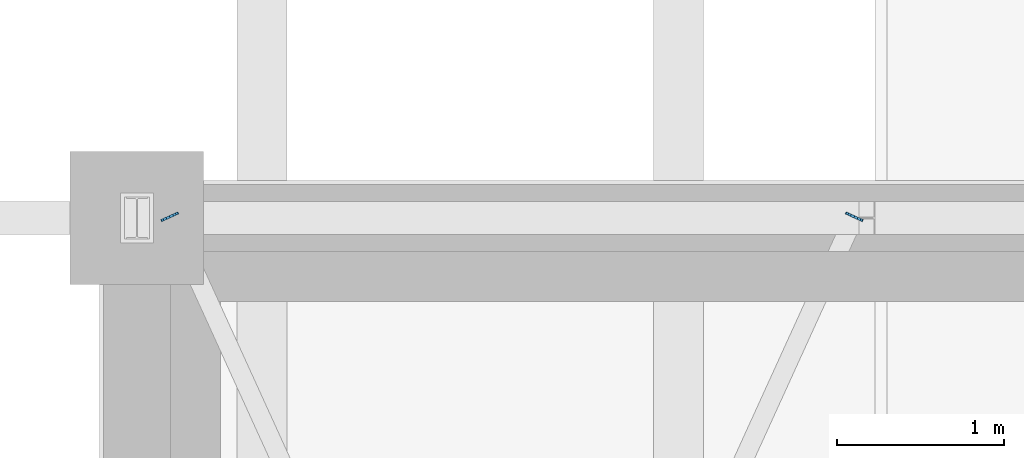
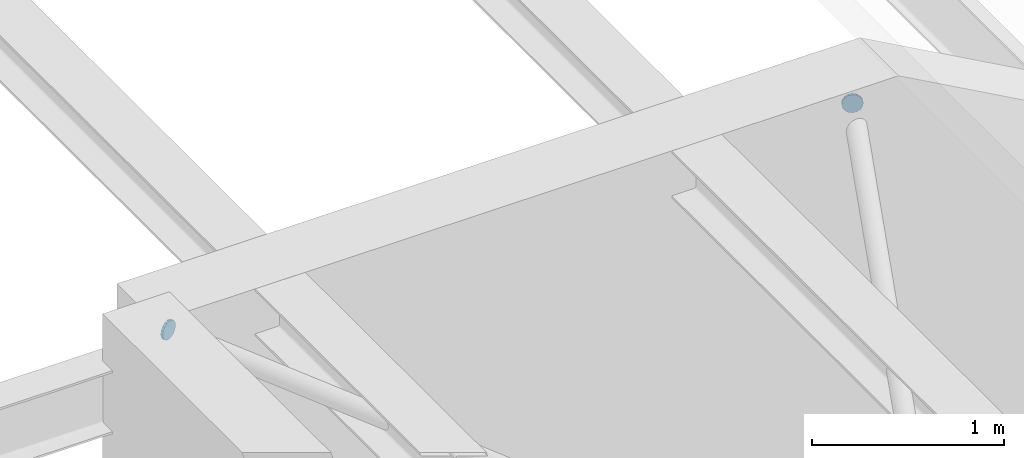
# One storey, part 260 of 437: 2 plates.
"""IFC4 building model written with IfcOpenShell, lengths in metres."""

from ifc_helpers import new_model, si_unit, direction, frame, origin, place, context, subcontext, project, spatial, polyline, outline, extrude, material, layer, layer_set, type_object, element, save


model = new_model("IFC4")

# Units and contexts
model_context = context("Model", 3, precision=1e-05, world=origin(), true_north=direction((0.0, 1.0)))
body_context = subcontext(model_context, "Body", "Model", "MODEL_VIEW")
ifc_project = project(units=[si_unit("LENGTHUNIT", "METRE"), si_unit("AREAUNIT", "SQUARE_METRE"), si_unit("VOLUMEUNIT", "CUBIC_METRE"), si_unit("PLANEANGLEUNIT", "RADIAN"), si_unit("MASSUNIT", "GRAM", prefix="KILO")], contexts=[model_context])

# Site, building, storey
site_placement = place(None, origin())
site = spatial("IfcSite", under=ifc_project, at=site_placement, CompositionType="ELEMENT")
building_placement = place(site_placement, origin())
building = spatial("IfcBuilding", under=site, at=building_placement, Name="Opaline Strait Convention Centre", CompositionType="ELEMENT")
storey_placement = place(building_placement, frame((0.0, 0.0, 11.5)))
storey = spatial("IfcBuildingStorey", under=building, at=storey_placement, Name="L02", CompositionType="ELEMENT", Elevation=11.5)

# Plates
ifc_material = material(Name="Steel Q355B", Category="steel")
ifc_layer = layer(ifc_material, 0.014892578125)
ifc_layer_set = layer_set([ifc_layer], Name="Steel Q355B")
plate_type = type_object("IfcPlateType", Name="Brace end plate 15 Q355B", PredefinedType="SHEET", material=ifc_layer_set)
plate_1_placement = place(storey_placement, frame((13.358154296875, 98.989990234375, 8.35693359375), z_axis=(0.414546759903, 0.910028012675, 0.0), x_axis=(-0.175211684293, 0.079814505718, -0.981290227387)))
element("IfcPlate", 1, at=plate_1_placement, inside=storey, type_object=plate_type, Name="Brace end plate 0-9-1 B", PredefinedType="SHEET", context=body_context, shape_type="SweptSolid", body=[
    extrude(outline(polyline([(0.0, 0.0), (0.022142802423366807, -8.673617379884035e-19), (0.042727250513924286, 0.008542007924152075), (0.05828100582850139, 0.024413026651226875), (0.06682195282960912, 0.04511902450470354), (0.06669550240146707, 0.06729920113890982), (0.05827249081068095, 0.08777145225734975), (0.042441871869317464, 0.10345829089687414), (0.021960200179139418, 0.11192457784020315), (-0.000441661016957879, 0.11187226917352971), (-0.02078653629809482, 0.10328325578414493), (-0.0365603784587825, 0.08755855665420899), (-0.04505854916977963, 0.06707057676838037), (-0.04497487503174818, 0.044672382166526046), (-0.036331776594851484, 0.024053811450947264), (-0.020740730462908537, 0.008413978276655572), (0.0, 0.0)])), origin(), (0.0, 0.0, -1.0), 0.014892578125),
])
plate_2_placement = place(storey_placement, frame((9.24560546875, 99.037353515625, 8.35693359375), z_axis=(-0.414546759903, 0.910028012675, 0.0), x_axis=(-0.179211623196, -0.081636605355, -0.980417594078)))
element("IfcPlate", 2, at=plate_2_placement, inside=storey, type_object=plate_type, Name="Brace end plate 0-9-3 B", PredefinedType="SHEET", context=body_context, shape_type="SweptSolid", body=[
    extrude(outline(polyline([(0.0, 0.0), (0.022162510909890694, 8.673617379884035e-19), (0.042785030570389286, 0.008449679604664397), (0.058389819747743, 0.024151614034705997), (0.0669797153948215, 0.04460130640421782), (0.06699641236914419, 0.0669996510750849), (0.058685155940435, 0.08760866746105381), (0.04292499144569943, 0.10336628840039641), (0.022461533519843202, 0.11182504651710427), (7.95936576276253e-05, 0.11197235089320826), (-0.02030356623869179, 0.1034745927271315), (-0.03616764599207897, 0.08772151104381062), (-0.044801294476851855, 0.06705399458378838), (-0.04477423861348016, 0.04487347400343172), (-0.03620369160873751, 0.024315604870742094), (-0.02068288687818111, 0.008606062492811843), (0.0, 0.0)])), origin(), (0.0, 0.0, -1.0), 0.014892578125),
])

save(model, "model.ifc")
